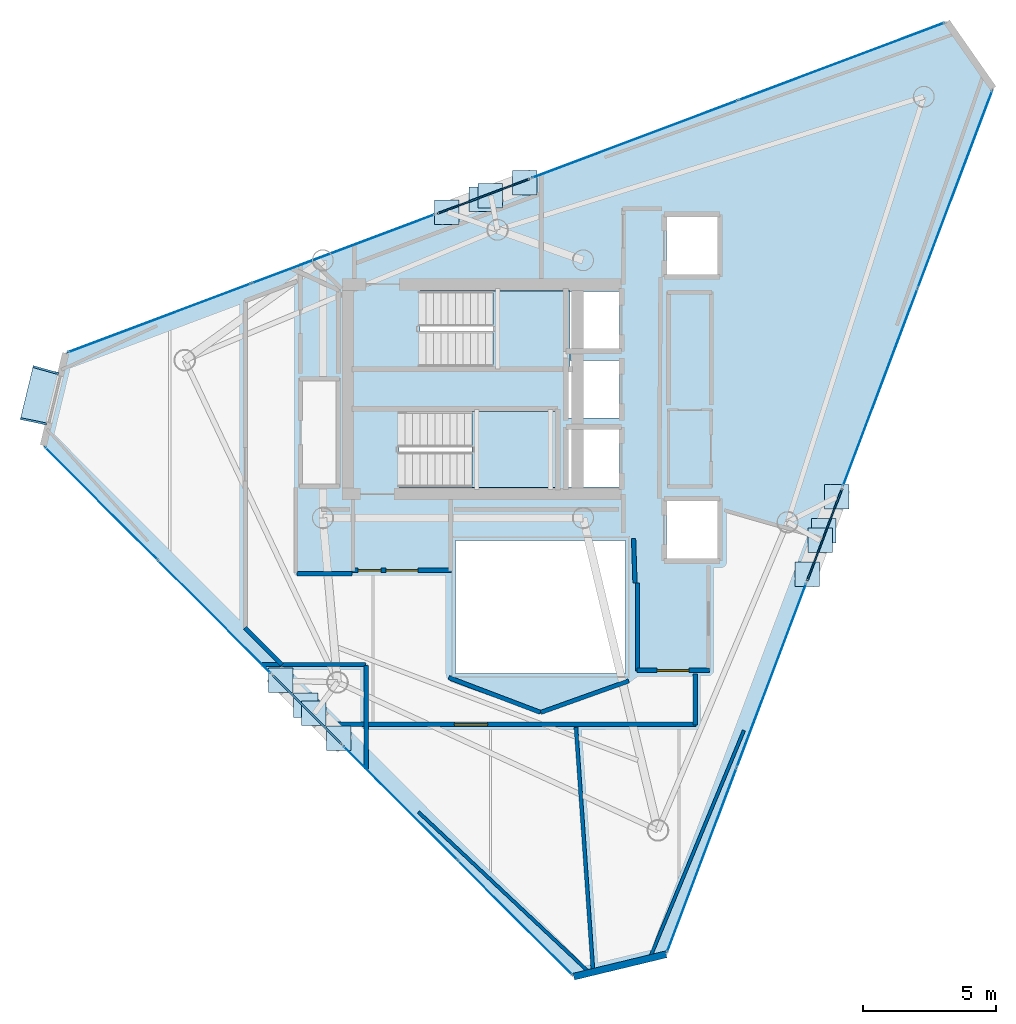
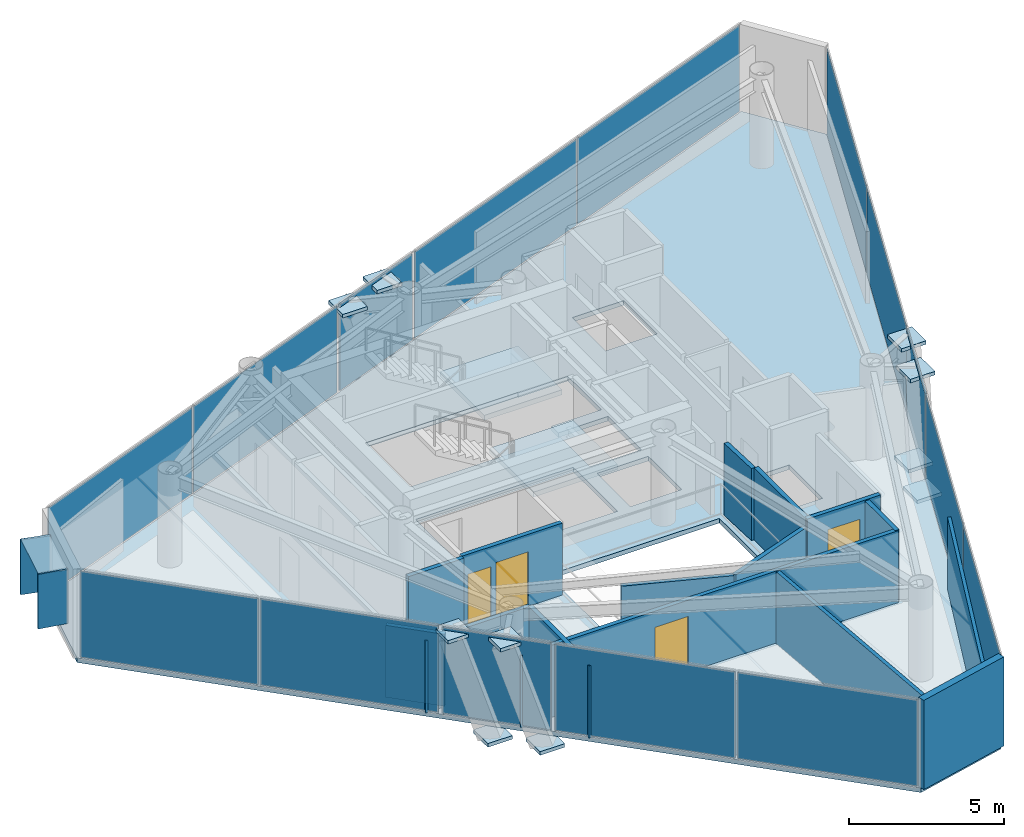
# One storey, part 15 of 19: 30 plates, 16 walls, 4 doors, 3 slabs, 4 openings, 11 elements without a shape of their own.
"""IFC4 building model written with IfcOpenShell, lengths in metres."""

import ifcopenshell
import ifcopenshell.guid

model = None  # the IFC model being written
_history = None  # IfcOwnerHistory: only IFC2X3 demands one
_inside = {}  # id of a spatial element -> (the spatial element, [elements in it])
_under = {}  # id of a project, library or spatial element -> (it, [spatial elements below it])
_declared = {}  # id of a project -> (the project, [libraries it declares])
_typed = {}  # id of a type object -> (the type object, [elements of that type])
_made_of = {}  # id of a material, layer set ... -> (it, [elements and type objects made of it])


def new_model(schema):
    """Start an empty IFC model of exactly this schema.

    Asked for "IFC4X3", IfcOpenShell would pick the latest addendum, in which some entities
    have other attributes; the version numbers below select the first issue.
    IFC2X3 requires an IfcOwnerHistory on every rooted entity: one is made here for all.
    """
    global model, _history
    if schema == "IFC4X3":
        model = ifcopenshell.file(schema_version=(4, 3, 0, 0))
    else:
        model = ifcopenshell.file(schema=schema)
    _inside.clear()
    _under.clear()
    _declared.clear()
    _typed.clear()
    _made_of.clear()
    _history = None
    if model.schema == "IFC2X3":
        org = make("IfcOrganization", Name="unknown")
        user = make(
            "IfcPersonAndOrganization",
            ThePerson=make("IfcPerson", FamilyName="unknown"),
            TheOrganization=org,
        )
        app = make(
            "IfcApplication",
            ApplicationDeveloper=org,
            Version="unknown",
            ApplicationFullName="unknown",
            ApplicationIdentifier="unknown",
        )
        _history = make(
            "IfcOwnerHistory",
            OwningUser=user,
            OwningApplication=app,
            ChangeAction="ADDED",
            CreationDate=0,
        )
    return model


def make(cls, **values):
    """One entity of the class cls with the attributes given. An attribute that is None is left unset."""
    return model.create_entity(
        cls, **{name: value for name, value in values.items() if value is not None}
    )


def rooted(cls, **values):
    """An entity with a GlobalId (a new one), such as an element, a storey or a relation."""
    return make(cls, GlobalId=ifcopenshell.guid.new(), OwnerHistory=_history, **values)


def si_unit(unit_type, name, prefix=None):
    """IfcSIUnit, for example si_unit("LENGTHUNIT", "METRE", prefix="MILLI")."""
    return make("IfcSIUnit", UnitType=unit_type, Prefix=prefix, Name=name)


def assignment(units):
    """IfcUnitAssignment: the units of a project."""
    return None if units is None else make("IfcUnitAssignment", Units=units)


def point(xyz):
    """IfcCartesianPoint."""
    return None if xyz is None else make("IfcCartesianPoint", Coordinates=xyz)


def direction(xyz):
    """IfcDirection."""
    return None if xyz is None else make("IfcDirection", DirectionRatios=xyz)


def frame(location, z_axis=None, x_axis=None):
    """IfcAxis2Placement3D, a coordinate frame: its origin and axes. An axis left out is left unset."""
    return make(
        "IfcAxis2Placement3D",
        Location=point(location),
        Axis=direction(z_axis),
        RefDirection=direction(x_axis),
    )


def frame_2d(location, x_axis=None):
    """IfcAxis2Placement2D, a coordinate frame in the plane: its origin and x axis."""
    return make(
        "IfcAxis2Placement2D", Location=point(location), RefDirection=direction(x_axis)
    )


def origin():
    """The frame at (0, 0, 0) with its axes left unset."""
    return frame((0.0, 0.0, 0.0))


def origin_2d():
    """The frame at (0, 0) in the plane with its x axis left unset."""
    return frame_2d((0.0, 0.0))


def place(relative_to, where):
    """IfcLocalPlacement: puts the frame where relative to a parent placement (None: the world)."""
    return make(
        "IfcLocalPlacement", PlacementRelTo=relative_to, RelativePlacement=where
    )


def context(
    kind, dimensions, precision=None, world=None, true_north=None, identifier=None
):
    """IfcGeometricRepresentationContext, for example the 3D "Model" context."""
    return make(
        "IfcGeometricRepresentationContext",
        ContextIdentifier=identifier,
        ContextType=kind,
        CoordinateSpaceDimension=dimensions,
        Precision=precision,
        WorldCoordinateSystem=world,
        TrueNorth=true_north,
    )


def subcontext(parent, identifier, kind, view, scale=None):
    """IfcGeometricRepresentationSubContext, for example "Body" below "Model"."""
    return make(
        "IfcGeometricRepresentationSubContext",
        ContextIdentifier=identifier,
        ContextType=kind,
        ParentContext=parent,
        TargetScale=scale,
        TargetView=view,
    )


def project(units=None, contexts=None):
    """IfcProject with its units and contexts."""
    return rooted(
        "IfcProject",
        Name="project",
        RepresentationContexts=contexts,
        UnitsInContext=assignment(units),
    )


def spatial(cls, under=None, at=None, **own):
    """A site, building, storey or space (cls), placed at a placement, below another one or the project."""
    s = rooted(cls, ObjectPlacement=at, **own)
    if under is not None:
        _under.setdefault(under.id(), (under, []))[1].append(s)
    return s


def polyline(points):
    """IfcPolyline through the points."""
    return make("IfcPolyline", Points=[point(p) for p in points])


def profile(cls, at=None, kind="AREA", **sizes):
    """A parametric profile (cls). Its sizes go by their IFC names, for example OverallWidth=200.0."""
    return make(cls, ProfileType=kind, Position=at, **sizes)


def rectangle(**sizes):
    """IfcRectangleProfileDef."""
    return profile("IfcRectangleProfileDef", **sizes)


def outline(outer, holes=None, kind="AREA"):
    """IfcArbitraryClosedProfileDef: a profile drawn as a closed curve; with holes, ...WithVoids."""
    if holes is None:
        return make("IfcArbitraryClosedProfileDef", ProfileType=kind, OuterCurve=outer)
    return make(
        "IfcArbitraryProfileDefWithVoids",
        ProfileType=kind,
        OuterCurve=outer,
        InnerCurves=holes,
    )


def extrude(swept, where, along, depth):
    """IfcExtrudedAreaSolid: the profile swept, set in the frame where, extruded along a direction by depth."""
    return make(
        "IfcExtrudedAreaSolid",
        SweptArea=swept,
        Position=where,
        ExtrudedDirection=direction(along),
        Depth=depth,
    )


def shape(context_of_items, identifier, shape_type, items):
    """IfcShapeRepresentation: the items that make up one representation, for example the "Body"."""
    return make(
        "IfcShapeRepresentation",
        ContextOfItems=context_of_items,
        RepresentationIdentifier=identifier,
        RepresentationType=shape_type,
        Items=items,
    )


def material(Name=None, Category=None):
    """IfcMaterial."""
    return make("IfcMaterial", Name=Name, Category=Category)


def layer(
    of_material, thickness, ventilated=None, Name=None, Category=None, Priority=None
):
    """IfcMaterialLayer: one layer of a wall or slab, of a material (None: an air gap)."""
    return make(
        "IfcMaterialLayer",
        Material=of_material,
        LayerThickness=thickness,
        IsVentilated=ventilated,
        Name=Name,
        Category=Category,
        Priority=Priority,
    )


def layer_set(layers, Name=None):
    """IfcMaterialLayerSet."""
    return make("IfcMaterialLayerSet", MaterialLayers=layers, LayerSetName=Name)


def made_of(thing, what):
    """Note that an element or type object is made of a material, layer set ...; save() writes the relation."""
    if what is not None:
        _made_of.setdefault(what.id(), (what, []))[1].append(thing)
    return thing


def type_object(cls, material=None, **own):
    """A type object (cls), such as IfcWallType, which elements share."""
    return made_of(rooted(cls, **own), material)


def element(
    cls,
    number,
    at=None,
    inside=None,
    cuts=None,
    type_object=None,
    material=None,
    context=None,
    identifier="Body",
    shape_type=None,
    held_by="IfcProductDefinitionShape",
    body=None,
    shapes=None,
    **own,
):
    """One element of the class cls, such as IfcWall. Its Tag is "e" and its number.

    at: its placement. inside: the storey or other place that contains it. cuts: it is an
    opening in that element (IfcRelVoidsElement). A single representation is given by context,
    identifier, shape_type and body (its items); several are given by shapes. held_by: the class
    of the entity that holds the representations. save() writes the other relations.
    """
    e = rooted(cls, Tag="e%d" % number, ObjectPlacement=at, **own)
    if body is not None:
        shapes = [shape(context, identifier, shape_type, body)]
    if shapes is not None:
        e.Representation = make(held_by, Representations=shapes)
    if inside is not None:
        _inside.setdefault(inside.id(), (inside, []))[1].append(e)
    if cuts is not None:
        rooted(
            "IfcRelVoidsElement", RelatingBuildingElement=cuts, RelatedOpeningElement=e
        )
    if type_object is not None:
        _typed.setdefault(type_object.id(), (type_object, []))[1].append(e)
    return made_of(e, material)


def fill(opening, filler):
    """IfcRelFillsElement: the door or window that sits in an opening."""
    return rooted(
        "IfcRelFillsElement",
        RelatingOpeningElement=opening,
        RelatedBuildingElement=filler,
    )


def aggregate(whole, parts):
    """IfcRelAggregates: a whole, such as a stair, and the parts it consists of."""
    return rooted("IfcRelAggregates", RelatingObject=whole, RelatedObjects=parts)


def save(model, path):
    """Write the relations noted so far, then the file.

    IfcRelAggregates (storeys below a building ...), IfcRelContainedInSpatialStructure (elements
    in a storey), IfcRelDefinesByType, IfcRelAssociatesMaterial and IfcRelDeclares: one each for
    every whole, place, type object, material and project.
    """
    for whole, parts in _under.values():
        aggregate(whole, parts)
    for where, things in _inside.values():
        rooted(
            "IfcRelContainedInSpatialStructure",
            RelatedElements=things,
            RelatingStructure=where,
        )
    for kind, things in _typed.values():
        rooted("IfcRelDefinesByType", RelatedObjects=things, RelatingType=kind)
    for what, things in _made_of.values():
        rooted("IfcRelAssociatesMaterial", RelatedObjects=things, RelatingMaterial=what)
    for by, libraries in _declared.values():
        rooted("IfcRelDeclares", RelatingContext=by, RelatedDefinitions=libraries)
    model.write(path)


model = new_model("IFC4")

# Units and contexts
model_context = context("Model", 3, precision=1e-05, world=origin(), true_north=direction((0.0, 1.0)))
body_context = subcontext(model_context, "Body", "Model", "MODEL_VIEW")
ifc_project = project(units=[si_unit("LENGTHUNIT", "METRE"), si_unit("AREAUNIT", "SQUARE_METRE"), si_unit("VOLUMEUNIT", "CUBIC_METRE"), si_unit("PLANEANGLEUNIT", "RADIAN"), si_unit("MASSUNIT", "GRAM", prefix="KILO")], contexts=[model_context])

# Site, building, storey
site_placement = place(None, origin())
site = spatial("IfcSite", under=ifc_project, at=site_placement, CompositionType="ELEMENT")
building_placement = place(site_placement, origin())
building = spatial("IfcBuilding", under=site, at=building_placement, Name="Qianvela Tower", CompositionType="ELEMENT")
storey_placement = place(building_placement, frame((0.0, 0.0, 340.699951171875)))
storey = spatial("IfcBuildingStorey", under=building, at=storey_placement, Name="L88", CompositionType="ELEMENT", Elevation=340.699951171875)

# Curtain wall, plate
ifc_material_1 = material(Name="Anodised Architectural Aluminium and Insulated Spandrel Panel", Category="aluminium")
ifc_layer_1 = layer(ifc_material_1, 0.179931640625)
ifc_layer_set_1 = layer_set([ifc_layer_1], Name="Anodised Architectural Aluminium and Insulated Spandrel Panel")
curtain_wall_type_1 = type_object("IfcCurtainWallType", Name="CW-BRACEBAY", PredefinedType="USERDEFINED", material=ifc_layer_set_1)
curtain_wall_1_placement = place(storey_placement, origin())
curtain_wall_1 = element("IfcCurtainWall", 1, at=curtain_wall_1_placement, inside=storey, type_object=curtain_wall_type_1, Name="L88 CW-BRACEBAY Curtain Wall 02B", ObjectType="CURTAIN_WALL_SYSTEM", PredefinedType="USERDEFINED")
ifc_material_2 = material(Name="Insulated Aluminium Spandrel Panel with Mineral-Wool Backpan", Category="aluminium")
ifc_layer_2 = layer(ifc_material_2, 0.06005859375)
ifc_layer_set_2 = layer_set([ifc_layer_2], Name="Insulated Aluminium Spandrel Panel with Mineral-Wool Backpan")
plate_type_1 = type_object("IfcPlateType", Name="CW-BRACEBAY-PNL", PredefinedType="CURTAIN_PANEL", material=ifc_layer_set_2)
plate_1_placement = place(storey_placement, frame((34.646728515625, 35.96337890625, 0.06494140625), z_axis=(0.0, 0.0, 1.0), x_axis=(-0.93601441022, -0.351961679533, 0.0)))
plate_1 = element("IfcPlate", 2, at=plate_1_placement, type_object=plate_type_1, Name="CW-9 panel 1.1", PredefinedType="CURTAIN_PANEL", context=body_context, shape_type="SweptSolid", body=[
    extrude(rectangle(XDim=3.699951171875, YDim=0.06005859375, at=origin_2d()), origin(), (0.0, 0.0, 1.0), 3.389892578125),
])
aggregate(curtain_wall_1, [plate_1])

curtain_wall_2_placement = place(storey_placement, origin())
curtain_wall_2 = element("IfcCurtainWall", 3, at=curtain_wall_2_placement, inside=storey, type_object=curtain_wall_type_1, Name="L88 CW-BRACEBAY Curtain Wall 04B", ObjectType="CURTAIN_WALL_SYSTEM", PredefinedType="USERDEFINED")
plate_2_placement = place(storey_placement, frame((28.012451171875, 16.631103515625, 0.06494140625), z_axis=(0.0, 0.0, 1.0), x_axis=(0.706618488958, -0.707594736458, 0.0)))
plate_2 = element("IfcPlate", 4, at=plate_2_placement, type_object=plate_type_1, Name="CW-9 panel 1.1", PredefinedType="CURTAIN_PANEL", context=body_context, shape_type="SweptSolid", body=[
    extrude(rectangle(XDim=3.659912109375, YDim=0.06005859375, at=origin_2d()), origin(), (0.0, 0.0, 1.0), 3.389892578125),
])
aggregate(curtain_wall_2, [plate_2])

curtain_wall_3_placement = place(storey_placement, origin())
curtain_wall_3 = element("IfcCurtainWall", 5, at=curtain_wall_3_placement, inside=storey, type_object=curtain_wall_type_1, Name="L88 CW-BRACEBAY Curtain Wall 06B", ObjectType="CURTAIN_WALL_SYSTEM", PredefinedType="USERDEFINED")
plate_3_placement = place(storey_placement, frame((47.490478515625, 23.2158203125, 0.06494140625), z_axis=(0.0, 0.0, 1.0), x_axis=(0.353259919343, 0.935525215794, 0.0)))
plate_3 = element("IfcPlate", 6, at=plate_3_placement, type_object=plate_type_1, Name="CW-9 panel 1.1", PredefinedType="CURTAIN_PANEL", context=body_context, shape_type="SweptSolid", body=[
    extrude(rectangle(XDim=3.699951171875, YDim=0.06005859375, at=origin_2d()), origin(), (0.0, 0.0, 1.0), 3.389892578125),
])
aggregate(curtain_wall_3, [plate_3])

# Curtain wall, plates
ifc_material_3 = material(Name="Anodised Architectural Aluminium and Low-E Glass", Category="aluminium")
ifc_layer_3 = layer(ifc_material_3, 0.14990234375)
ifc_layer_set_3 = layer_set([ifc_layer_3], Name="Anodised Architectural Aluminium and Low-E Glass")
curtain_wall_type_2 = type_object("IfcCurtainWallType", Name="CW-COLIV-Z78", PredefinedType="USERDEFINED", material=ifc_layer_set_3)
curtain_wall_4_placement = place(storey_placement, origin())
curtain_wall_4 = element("IfcCurtainWall", 7, at=curtain_wall_4_placement, inside=storey, type_object=curtain_wall_type_2, Name="L88 CW-COLIV-Z78 Curtain Wall 02A", ObjectType="CURTAIN_WALL_SYSTEM", PredefinedType="USERDEFINED")
ifc_material_4 = material(Name="Double-Silver Low-E Insulated Glass", Category="glass")
ifc_layer_4 = layer(ifc_material_4, 0.02587890625)
ifc_layer_set_4 = layer_set([ifc_layer_4], Name="Double-Silver Low-E Insulated Glass")
plate_type_2 = type_object("IfcPlateType", Name="CW-COLIV-Z78-PNL", PredefinedType="CURTAIN_PANEL", material=ifc_layer_set_4)
plate_4_placement = place(storey_placement, frame((48.127685546875, 41.0322265625, 0.06005859375), z_axis=(0.0, 0.0, 1.0), x_axis=(-0.936016705749, -0.351955574694, 0.0)))
plate_4 = element("IfcPlate", 8, at=plate_4_placement, type_object=plate_type_2, Name="CW-6 panel 1.1", PredefinedType="CURTAIN_PANEL", context=body_context, shape_type="SweptSolid", body=[
    extrude(rectangle(XDim=8.2451171875, YDim=0.02587890625, at=origin_2d()), origin(), (0.0, 0.0, 1.0), 3.39990234375),
])
plate_5_placement = place(storey_placement, frame((40.35400390625, 38.109375, 0.06005859375), z_axis=(0.0, 0.0, 1.0), x_axis=(-0.936016705749, -0.351955574694, 0.0)))
plate_5 = element("IfcPlate", 9, at=plate_5_placement, type_object=plate_type_2, Name="CW-6 panel 2.1", PredefinedType="CURTAIN_PANEL", context=body_context, shape_type="SweptSolid", body=[
    extrude(rectangle(XDim=8.2451171875, YDim=0.02587890625, at=origin_2d()), origin(), (0.0, 0.0, 1.0), 3.39990234375),
])
aggregate(curtain_wall_4, [plate_4, plate_5])

curtain_wall_5_placement = place(storey_placement, origin())
curtain_wall_5 = element("IfcCurtainWall", 10, at=curtain_wall_5_placement, inside=storey, type_object=curtain_wall_type_2, Name="L88 CW-COLIV-Z78 Curtain Wall 02C", ObjectType="CURTAIN_WALL_SYSTEM", PredefinedType="USERDEFINED")
plate_6_placement = place(storey_placement, frame((29.36962890625, 33.97900390625, 0.06005859375), z_axis=(0.0, 0.0, 1.0), x_axis=(-0.936015416471, -0.351959003477, 0.0)))
plate_6 = element("IfcPlate", 11, at=plate_6_placement, type_object=plate_type_2, Name="CW-6 panel 1.1", PredefinedType="CURTAIN_PANEL", context=body_context, shape_type="SweptSolid", body=[
    extrude(rectangle(XDim=7.32568359375, YDim=0.02587890625, at=origin_2d()), origin(), (0.0, 0.0, 1.0), 3.39990234375),
])
plate_7_placement = place(storey_placement, frame((22.45654296875, 31.379638671875, 0.06005859375), z_axis=(0.0, 0.0, 1.0), x_axis=(-0.936015416471, -0.351959003477, 0.0)))
plate_7 = element("IfcPlate", 12, at=plate_7_placement, type_object=plate_type_2, Name="CW-6 panel 2.1", PredefinedType="CURTAIN_PANEL", context=body_context, shape_type="SweptSolid", body=[
    extrude(rectangle(XDim=7.32568359375, YDim=0.02587890625, at=origin_2d()), origin(), (0.0, 0.0, 1.0), 3.39990234375),
])
aggregate(curtain_wall_5, [plate_6, plate_7])

curtain_wall_6_placement = place(storey_placement, origin())
curtain_wall_6 = element("IfcCurtainWall", 13, at=curtain_wall_6_placement, inside=storey, type_object=curtain_wall_type_2, Name="L88 CW-COLIV-Z78 Curtain Wall 04A", ObjectType="CURTAIN_WALL_SYSTEM", PredefinedType="USERDEFINED")
plate_8_placement = place(storey_placement, frame((20.26611328125, 24.38818359375, 0.06005859375), z_axis=(0.0, 0.0, 1.0), x_axis=(0.706615280371, -0.707597940603, 0.0)))
plate_8 = element("IfcPlate", 14, at=plate_8_placement, type_object=plate_type_2, Name="CW-6 panel 1.1", PredefinedType="CURTAIN_PANEL", context=body_context, shape_type="SweptSolid", body=[
    extrude(rectangle(XDim=5.965087890625, YDim=0.02587890625, at=origin_2d()), origin(), (0.0, 0.0, 1.0), 3.39990234375),
])
plate_9_placement = place(storey_placement, frame((24.5234375, 20.124755859375, 0.06005859375), z_axis=(0.0, 0.0, 1.0), x_axis=(0.706615280371, -0.707597940603, 0.0)))
plate_9 = element("IfcPlate", 15, at=plate_9_placement, type_object=plate_type_2, Name="CW-6 panel 2.1", PredefinedType="CURTAIN_PANEL", context=body_context, shape_type="SweptSolid", body=[
    extrude(rectangle(XDim=5.965087890625, YDim=0.02587890625, at=origin_2d()), origin(), (0.0, 0.0, 1.0), 3.39990234375),
])
aggregate(curtain_wall_6, [plate_8, plate_9])

curtain_wall_7_placement = place(storey_placement, origin())
curtain_wall_7 = element("IfcCurtainWall", 16, at=curtain_wall_7_placement, inside=storey, type_object=curtain_wall_type_2, Name="L88 CW-COLIV-Z78 Curtain Wall 04C", ObjectType="CURTAIN_WALL_SYSTEM", PredefinedType="USERDEFINED")
plate_10_placement = place(storey_placement, frame((31.527587890625, 13.11083984375, 0.06005859375), z_axis=(0.0, 0.0, 1.0), x_axis=(0.706613107104, -0.707600110845, 0.0)))
plate_10 = element("IfcPlate", 17, at=plate_10_placement, type_object=plate_type_2, Name="CW-6 panel 1.1", PredefinedType="CURTAIN_PANEL", context=body_context, shape_type="SweptSolid", body=[
    extrude(rectangle(XDim=6.03955078125, YDim=0.02587890625, at=origin_2d()), origin(), (0.0, 0.0, 1.0), 3.39990234375),
])
plate_11_placement = place(storey_placement, frame((35.837646484375, 8.794677734375, 0.06005859375), z_axis=(0.0, 0.0, 1.0), x_axis=(0.706613107104, -0.707600110845, 0.0)))
plate_11 = element("IfcPlate", 18, at=plate_11_placement, type_object=plate_type_2, Name="CW-6 panel 2.1", PredefinedType="CURTAIN_PANEL", context=body_context, shape_type="SweptSolid", body=[
    extrude(rectangle(XDim=6.03955078125, YDim=0.02587890625, at=origin_2d()), origin(), (0.0, 0.0, 1.0), 3.39990234375),
])
aggregate(curtain_wall_7, [plate_10, plate_11])

curtain_wall_8_placement = place(storey_placement, origin())
curtain_wall_8 = element("IfcCurtainWall", 19, at=curtain_wall_8_placement, inside=storey, type_object=curtain_wall_type_2, Name="L88 CW-COLIV-Z78 Curtain Wall 06A", ObjectType="CURTAIN_WALL_SYSTEM", PredefinedType="USERDEFINED")
plate_12_placement = place(storey_placement, frame((42.866455078125, 10.9697265625, 0.06005859375), z_axis=(0.0, 0.0, 1.0), x_axis=(0.353258492733, 0.935525754489, 0.0)))
plate_12 = element("IfcPlate", 20, at=plate_12_placement, type_object=plate_type_2, Name="CW-6 panel 1.1", PredefinedType="CURTAIN_PANEL", context=body_context, shape_type="SweptSolid", body=[
    extrude(rectangle(XDim=7.369873046875, YDim=0.02587890625, at=origin_2d()), origin(), (0.0, 0.0, 1.0), 3.39990234375),
])
plate_13_placement = place(storey_placement, frame((45.4912109375, 17.920654296875, 0.06005859375), z_axis=(0.0, 0.0, 1.0), x_axis=(0.353258492733, 0.935525754489, 0.0)))
plate_13 = element("IfcPlate", 21, at=plate_13_placement, type_object=plate_type_2, Name="CW-6 panel 2.1", PredefinedType="CURTAIN_PANEL", context=body_context, shape_type="SweptSolid", body=[
    extrude(rectangle(XDim=7.369873046875, YDim=0.02587890625, at=origin_2d()), origin(), (0.0, 0.0, 1.0), 3.39990234375),
])
aggregate(curtain_wall_8, [plate_12, plate_13])

curtain_wall_9_placement = place(storey_placement, origin())
curtain_wall_9 = element("IfcCurtainWall", 22, at=curtain_wall_9_placement, inside=storey, type_object=curtain_wall_type_2, Name="L88 CW-COLIV-Z78 Curtain Wall 06C", ObjectType="CURTAIN_WALL_SYSTEM", PredefinedType="USERDEFINED")
plate_14_placement = place(storey_placement, frame((49.585205078125, 28.76318359375, 0.06005859375), z_axis=(0.0, 0.0, 1.0), x_axis=(0.353262477612, 0.935524249772, 0.0)))
plate_14 = element("IfcPlate", 23, at=plate_14_placement, type_object=plate_type_2, Name="CW-6 panel 1.1", PredefinedType="CURTAIN_PANEL", context=body_context, shape_type="SweptSolid", body=[
    extrude(rectangle(XDim=7.9091796875, YDim=0.02587890625, at=origin_2d()), origin(), (0.0, 0.0, 1.0), 3.39990234375),
])
plate_15_placement = place(storey_placement, frame((52.400390625, 36.218505859375, 0.06005859375), z_axis=(0.0, 0.0, 1.0), x_axis=(0.353262477612, 0.935524249772, 0.0)))
plate_15 = element("IfcPlate", 24, at=plate_15_placement, type_object=plate_type_2, Name="CW-6 panel 2.1", PredefinedType="CURTAIN_PANEL", context=body_context, shape_type="SweptSolid", body=[
    extrude(rectangle(XDim=7.9091796875, YDim=0.02587890625, at=origin_2d()), origin(), (0.0, 0.0, 1.0), 3.39990234375),
])
aggregate(curtain_wall_9, [plate_14, plate_15])

# Plates
ifc_material_5 = material(Name="Steel Q420GJC", Category="steel")
ifc_layer_5 = layer(ifc_material_5, 0.139892578125)
ifc_layer_set_5 = layer_set([ifc_layer_5], Name="Steel Q420GJC")
plate_type_3 = type_object("IfcPlateType", Name="PT-GUSSET-NODE-140", PredefinedType="USERDEFINED", material=ifc_layer_set_5)
for number, where, z_axis, x_axis, name in (
    (25, (36.197509765625, 36.4609375, -0.61279296875), (0.0, 0.0, 1.0), (1.0, 0.0, 0.0), "L88 Node Gusset Plate A"),
    (26, (34.906982421875, 35.9755859375, 3.208984375), (0.0, 0.0, 1.0), (1.0, 0.0, 0.0), "L88 Node Gusset Plate B"),
    (27, (34.55712890625, 35.84423828125, -0.61279296875), (0.0, 0.0, 1.0), (1.0, 0.0, 0.0), "L88 Node Gusset Plate A"),
    (28, (33.2666015625, 35.35888671875, 3.208984375), (0.0, 0.0, 1.0), (1.0, 0.0, 0.0), "L88 Node Gusset Plate B"),
    (29, (27.96337890625, 16.79345703125, -0.61328125), (0.0, 0.0, 1.0), (1.0, 0.0, 0.0), "L88 Node Gusset Plate A"),
    (30, (27.0234375, 17.734619140625, 3.20947265625), (0.0, 0.0, 1.0), (1.0, 0.0, 0.0), "L88 Node Gusset Plate B"),
    (31, (29.201416015625, 15.553466796875, -0.61328125), (0.0, 0.0, 1.0), (1.0, 0.0, 0.0), "L88 Node Gusset Plate A"),
    (32, (28.261962890625, 16.494384765625, 3.20947265625), (0.0, 0.0, 1.0), (1.0, 0.0, 0.0), "L88 Node Gusset Plate B"),
    (33, (46.8408203125, 21.7216796875, -0.61279296875), (0.0, 0.0, 1.0), (1.0, 0.0, 0.0), "L88 Node Gusset Plate A"),
    (34, (47.32861328125, 23.013671875, 3.208984375), (0.0, 0.0, 1.0), (1.0, 0.0, 0.0), "L88 Node Gusset Plate B"),
    (35, (47.4599609375, 23.361083984375, -0.61279296875), (0.0, 0.0, 1.0), (1.0, 0.0, 0.0), "L88 Node Gusset Plate A"),
    (36, (47.947998046875, 24.6533203125, 3.208984375), (0.0, 0.0, 1.0), (1.0, 0.0, 0.0), "L88 Node Gusset Plate B"),
):
    element("IfcPlate", number, at=place(storey_placement, frame(where, z_axis=z_axis, x_axis=x_axis)), inside=storey, type_object=plate_type_3, Name=name, ObjectType="GUSSET_PLATE", PredefinedType="USERDEFINED", context=body_context, shape_type="SweptSolid", body=[
        extrude(rectangle(XDim=0.919921875, YDim=0.919921875, at=origin_2d()), origin(), (0.0, 0.0, 1.0), 0.139892578125),
    ])

# Slab
ifc_material_6 = material(Name="Concrete C40", Category="concrete")
ifc_layer_6 = layer(ifc_material_6, 0.179931640625)
ifc_layer_set_6 = layer_set([ifc_layer_6], Name="Concrete C40")
slab_type_1 = type_object("IfcSlabType", Name="SL-FLOOR-180", PredefinedType="FLOOR", material=ifc_layer_set_6)
slab_1_placement = place(storey_placement, frame((0.0, 0.0, -0.179931640625)))
element("IfcSlab", 37, at=slab_1_placement, inside=storey, type_object=slab_type_1, Name="L88 Composite Structural Floor Slab", PredefinedType="FLOOR", context=body_context, shape_type="SweptSolid", body=[
    extrude(outline(polyline([(53.83642578125, 40.02099609375), (52.08935546875, 42.52197265625), (18.925048828125, 30.0517578125), (18.080810546875, 26.576416015625), (38.04931640625, 6.580078125), (41.52587890625, 7.41943359375), (53.83642578125, 40.02099609375)]), holes=[polyline([(40.0, 23.0), (33.60009765625, 23.0), (33.60009765625, 18.0), (40.0, 18.0), (40.0, 23.0)]), polyline([(43.4599609375, 24.47998046875), (41.5400390625, 24.47998046875), (41.5400390625, 22.320068359375), (43.4599609375, 22.320068359375), (43.4599609375, 24.47998046875)]), polyline([(39.760009765625, 27.179931640625), (37.840087890625, 27.179931640625), (37.840087890625, 25.02001953125), (39.760009765625, 25.02001953125), (39.760009765625, 27.179931640625)]), polyline([(37.35009765625, 27.860107421875), (31.469970703125, 27.860107421875), (31.469970703125, 25.0), (37.35009765625, 25.0), (37.35009765625, 27.860107421875)]), polyline([(39.760009765625, 27.6201171875), (39.760009765625, 29.780029296875), (37.89990234375, 29.780029296875), (37.89990234375, 30.219970703125), (39.760009765625, 30.219970703125), (39.760009765625, 32.3798828125), (37.89990234375, 32.3798828125), (37.89990234375, 32.39990234375), (32.25, 32.39990234375), (32.25, 29.5400390625), (37.840087890625, 29.5400390625), (37.840087890625, 27.6201171875), (39.760009765625, 27.6201171875)]), polyline([(43.4599609375, 35.179931640625), (41.5400390625, 35.179931640625), (41.5400390625, 33.02001953125), (43.4599609375, 33.02001953125), (43.4599609375, 35.179931640625)])]), origin(), (0.0, 0.0, 1.0), 0.179931640625),
])

# Stair, slab
ifc_material_7 = material(Name="Concrete C40", Category="concrete")
stair_type = type_object("IfcStairType", Name="ST-DOGLEG-1350-R168-N22", PredefinedType="HALF_TURN_STAIR", material=ifc_material_7)
stair_1_placement = place(storey_placement, origin())
stair_1 = element("IfcStair", 38, at=stair_1_placement, inside=storey, type_object=stair_type, Name="L88 Smoke-Proof Core Stair ST-1", PredefinedType="HALF_TURN_STAIR")
ifc_material_8 = material(Name="Concrete C40", Category="concrete")
ifc_layer_7 = layer(ifc_material_8, 0.199951171875)
ifc_layer_set_7 = layer_set([ifc_layer_7], Name="Concrete C40")
slab_type_2 = type_object("IfcSlabType", Name="SL-STAIR-LANDING-200", PredefinedType="LANDING", material=ifc_layer_set_7)
slab_2_placement = place(storey_placement, frame((0.0, 0.0, 1.650146484375)))
slab_2 = element("IfcSlab", 39, at=slab_2_placement, type_object=slab_type_2, Name="ST-1 landing 1", PredefinedType="LANDING", context=body_context, shape_type="SweptSolid", body=[
    extrude(outline(polyline([(35.0, 29.5400390625), (37.89990234375, 29.5400390625), (37.89990234375, 32.39990234375), (35.0, 32.39990234375), (35.0, 29.5400390625)])), origin(), (0.0, 0.0, 1.0), 0.199951171875),
])
aggregate(stair_1, [slab_2])

stair_2_placement = place(storey_placement, origin())
stair_2 = element("IfcStair", 40, at=stair_2_placement, inside=storey, type_object=stair_type, Name="L88 Smoke-Proof Core Stair ST-2", PredefinedType="HALF_TURN_STAIR")
slab_3_placement = place(storey_placement, frame((0.0, 0.0, 1.650146484375)))
slab_3 = element("IfcSlab", 41, at=slab_3_placement, type_object=slab_type_2, Name="ST-2 landing 1", PredefinedType="LANDING", context=body_context, shape_type="SweptSolid", body=[
    extrude(outline(polyline([(34.219970703125, 25.0), (37.35009765625, 25.0), (37.35009765625, 27.860107421875), (34.219970703125, 27.860107421875), (34.219970703125, 25.0)])), origin(), (0.0, 0.0, 1.0), 0.199951171875),
])
aggregate(stair_2, [slab_3])

# Plates
ifc_material_9 = material(Name="Vitrified Architectural Terracotta Panel", Category="masonry")
ifc_layer_8 = layer(ifc_material_9, 0.070068359375)
ifc_layer_set_8 = layer_set([ifc_layer_8], Name="Vitrified Architectural Terracotta Panel")
plate_type_4 = type_object("IfcPlateType", Name="TERRACOTTA-SUNSHADE-HOOD-FOLD-C", PredefinedType="USERDEFINED", material=ifc_layer_set_8)
plate_16_placement = place(storey_placement, frame((17.9345703125, 28.4521484375, 2.9599609375), z_axis=(0.0, 0.0, 1.0), x_axis=(-0.236049580163, -0.97174101267, 0.0)))
element("IfcPlate", 42, at=plate_16_placement, inside=storey, type_object=plate_type_4, Name="L88 Terracotta Sunshade Hood FOLD-C", ObjectType="SUNSHADE", PredefinedType="USERDEFINED", context=body_context, shape_type="SweptSolid", body=[
    extrude(rectangle(XDim=2.0400390625, YDim=0.989990234375, at=origin_2d()), origin(), (0.0, 0.0, 1.0), 0.06005859375),
])
ifc_material_10 = material(Name="Vitrified Architectural Terracotta Side Fin Panel", Category="masonry")
ifc_layer_9 = layer(ifc_material_10, 0.074951171875)
ifc_layer_set_9 = layer_set([ifc_layer_9], Name="Vitrified Architectural Terracotta Side Fin Panel")
plate_type_5 = type_object("IfcPlateType", Name="TERRACOTTA-SUNSHADE-STRUT-FOLD-C", PredefinedType="USERDEFINED", material=ifc_layer_set_9)
for number, where, z_axis, x_axis, name in (
    (43, (18.168212890625, 29.414306640625, 0.85009765625), (0.0, 0.0, 1.0), (-0.269819057404, -0.962911042756, 0.0), "L88 Terracotta Sunshade Side Fin HL FOLD-C"),
    (44, (17.70068359375, 27.489990234375, 0.85009765625), (0.0, 0.0, 1.0), (-0.20199251287, -0.979387065845, 0.0), "L88 Terracotta Sunshade Side Fin HR FOLD-C"),
):
    element("IfcPlate", number, at=place(storey_placement, frame(where, z_axis=z_axis, x_axis=x_axis)), inside=storey, type_object=plate_type_5, Name=name, ObjectType="SUNSHADE", PredefinedType="USERDEFINED", context=body_context, shape_type="SweptSolid", body=[
        extrude(rectangle(XDim=0.074951171875, YDim=1.010009765625, at=origin_2d()), origin(), (0.0, 0.0, 1.0), 2.159912109375),
    ])

# Wall
ifc_material_11 = material(Name="Terracotta Cladding on Concrete C40", Category="masonry")
ifc_layer_10 = layer(ifc_material_11, 0.260009765625)
ifc_layer_set_10 = layer_set([ifc_layer_10], Name="Terracotta Cladding on Concrete C40")
wall_type_1 = type_object("IfcWallType", Name="TERRACOTTA-WALL-260", PredefinedType="SOLIDWALL", material=ifc_layer_set_10)
wall_1_placement = place(storey_placement, frame((38.04931640625, 6.580078125, 0.0), z_axis=(0.0, 0.0, 1.0), x_axis=(0.972070395477, 0.234689467672, 0.0)))
element("IfcWall", 45, at=wall_1_placement, inside=storey, type_object=wall_type_1, Name="L88 Terracotta Chamfer Facet Wall 5", PredefinedType="SOLIDWALL", context=body_context, shape_type="SweptSolid", body=[
    extrude(rectangle(XDim=3.576416015625, YDim=0.260009765625, at=frame_2d((1.7880859375, 0.0))), origin(), (0.0, 0.0, 1.0), 3.52001953125),
])

# Wall, openings, doors
ifc_material_12 = material(Name="Fire-Rated Gypsum and Concrete Block", Category="concrete")
ifc_layer_11 = layer(ifc_material_12, 0.159912109375)
ifc_layer_set_11 = layer_set([ifc_layer_11], Name="Fire-Rated Gypsum and Concrete Block")
wall_type_2 = type_object("IfcWallType", Name="WT-CORR-160", PredefinedType="PARTITIONING", material=ifc_layer_set_11)
wall_2_placement = place(storey_placement, frame((33.449951171875, 21.881103515625, 0.0), z_axis=(0.0, 0.0, 1.0), x_axis=(-1.0, 0.0, 0.0)))
wall_2 = element("IfcWall", 46, at=wall_2_placement, inside=storey, type_object=wall_type_2, Name="L88 Partition 5", PredefinedType="PARTITIONING", context=body_context, shape_type="SweptSolid", body=[
    extrude(rectangle(XDim=3.75, YDim=0.159912109375, at=frame_2d((1.875, 0.0))), origin(), (0.0, 0.0, 1.0), 2.840087890625),
])
opening_1_placement = place(wall_2_placement, frame((1.27490234375, 0.0, 0.0)))
opening_1 = element("IfcOpeningElement", 47, at=opening_1_placement, cuts=wall_2, Name="Opening D-LB1", PredefinedType="OPENING", context=body_context, shape_type="SweptSolid", body=[
    extrude(rectangle(XDim=1.199951171875, YDim=2.14990234375, at=frame_2d((0.60009765625, 1.074951171875))), frame((0.0, 0.08984375, 0.0), z_axis=(0.0, -1.0, 0.0), x_axis=(1.0, 0.0, 0.0)), (0.0, 0.0, 1.0), 0.179931640625),
])
opening_2_placement = place(wall_2_placement, frame((2.659912109375, 0.0, 0.0)))
opening_2 = element("IfcOpeningElement", 48, at=opening_2_placement, cuts=wall_2, Name="Opening D-LB2", PredefinedType="OPENING", context=body_context, shape_type="SweptSolid", body=[
    extrude(rectangle(XDim=0.860107421875, YDim=2.050048828125, at=frame_2d((0.43017578125, 1.02490234375))), frame((0.0, 0.08984375, 0.0), z_axis=(0.0, -1.0, 0.0), x_axis=(1.0, 0.0, 0.0)), (0.0, 0.0, 1.0), 0.179931640625),
])
ifc_material_13 = material(Name="Glazed Fire-Rated Steel Frame", Category="steel")
door_type_1 = type_object("IfcDoorType", Name="DT-LOBBY-FD90", OperationType="NOTDEFINED", PredefinedType="DOOR", material=ifc_material_13)
door_1_placement = place(opening_1_placement, origin())
door_1 = element("IfcDoor", 49, at=door_1_placement, inside=storey, type_object=door_type_1, Name="L88 Door L88 Firefighting Lobby South to L88 Floor Corridor", OperationType="SINGLE_SWING_RIGHT", OverallHeight=2.14990234375, OverallWidth=1.199951171875, PredefinedType="DOOR", context=body_context, shape_type="SweptSolid", body=[
    extrude(rectangle(XDim=1.199951171875, YDim=2.14990234375, at=frame_2d((0.60009765625, 1.074951171875))), frame((0.0, 0.02490234375, 0.0), z_axis=(0.0, -1.0, 0.0), x_axis=(1.0, 0.0, 0.0)), (0.0, 0.0, 1.0), 0.050048828125),
])
fill(opening_1, door_1)
ifc_material_14 = material(Name="Insulated Steel Fire Door Q355B", Category="steel")
door_type_2 = type_object("IfcDoorType", Name="DT-LOBBY-FD90-860", OperationType="NOTDEFINED", PredefinedType="DOOR", material=ifc_material_14)
door_2_placement = place(opening_2_placement, origin())
door_2 = element("IfcDoor", 50, at=door_2_placement, inside=storey, type_object=door_type_2, Name="L88 Door L88 Firefighting Lobby South to L88 Floor Corridor", OperationType="SINGLE_SWING_RIGHT", OverallHeight=2.050048828125, OverallWidth=0.860107421875, PredefinedType="DOOR", context=body_context, shape_type="SweptSolid", body=[
    extrude(rectangle(XDim=0.860107421875, YDim=2.050048828125, at=frame_2d((0.43017578125, 1.02490234375))), frame((0.0, 0.02490234375, 0.0), z_axis=(0.0, -1.0, 0.0), x_axis=(1.0, 0.0, 0.0)), (0.0, 0.0, 1.0), 0.050048828125),
])
fill(opening_2, door_2)

# Wall
wall_3_placement = place(storey_placement, frame((40.35107421875, 21.40087890625, 0.0), z_axis=(0.0, 0.0, 1.0), x_axis=(-0.031058045979, 0.999517582527, 0.0)))
element("IfcWall", 51, at=wall_3_placement, inside=storey, type_object=wall_type_2, Name="L88 Partition 9", PredefinedType="PARTITIONING", context=body_context, shape_type="SweptSolid", body=[
    extrude(rectangle(XDim=1.68212890625, YDim=0.159912109375, at=frame_2d((0.841064453125, 0.0))), origin(), (0.0, 0.0, 1.0), 2.840087890625),
])

# Wall, opening, door
wall_4_placement = place(storey_placement, frame((43.14990234375, 18.111083984375, 0.0), z_axis=(0.0, 0.0, 1.0), x_axis=(-1.0, 0.0, 0.0)))
wall_4 = element("IfcWall", 52, at=wall_4_placement, inside=storey, type_object=wall_type_2, Name="L88 Partition 17", PredefinedType="PARTITIONING", context=body_context, shape_type="SweptSolid", body=[
    extrude(rectangle(XDim=2.72998046875, YDim=0.159912109375, at=frame_2d((1.364990234375, 0.0))), origin(), (0.0, 0.0, 1.0), 2.840087890625),
])
opening_3_placement = place(wall_4_placement, frame((0.764892578125, 0.0, 0.0)))
opening_3 = element("IfcOpeningElement", 53, at=opening_3_placement, cuts=wall_4, Name="Opening D-LB1", PredefinedType="OPENING", context=body_context, shape_type="SweptSolid", body=[
    extrude(rectangle(XDim=1.199951171875, YDim=2.14990234375, at=frame_2d((0.60009765625, 1.074951171875))), frame((0.0, 0.08984375, 0.0), z_axis=(0.0, -1.0, 0.0), x_axis=(1.0, 0.0, 0.0)), (0.0, 0.0, 1.0), 0.179931640625),
])
door_3_placement = place(opening_3_placement, origin())
door_3 = element("IfcDoor", 54, at=door_3_placement, inside=storey, type_object=door_type_1, Name="L88 Door L88 Lift Lobby to L88 Floor Corridor", OperationType="SINGLE_SWING_LEFT", OverallHeight=2.14990234375, OverallWidth=1.199951171875, PredefinedType="DOOR", context=body_context, shape_type="SweptSolid", body=[
    extrude(rectangle(XDim=1.199951171875, YDim=2.14990234375, at=frame_2d((0.60009765625, 1.074951171875))), frame((0.0, 0.02490234375, 0.0), z_axis=(0.0, -1.0, 0.0), x_axis=(1.0, 0.0, 0.0)), (0.0, 0.0, 1.0), 0.050048828125),
])
fill(opening_3, door_3)

# Walls
wall_5_placement = place(storey_placement, frame((40.450927734375, 18.080078125, 0.0), z_axis=(0.0, 0.0, 1.0), x_axis=(0.0, 1.0, 0.0)))
element("IfcWall", 55, at=wall_5_placement, inside=storey, type_object=wall_type_2, Name="L88 Partition 18 seg 1", PredefinedType="PARTITIONING", context=body_context, shape_type="SweptSolid", body=[
    extrude(rectangle(XDim=3.31982421875, YDim=0.159912109375, at=frame_2d((1.659912109375, 0.0))), origin(), (0.0, 0.0, 1.0), 2.840087890625),
])
wall_6_placement = place(storey_placement, frame((36.810302734375, 16.52880859375, 0.0), z_axis=(0.0, 0.0, 1.0), x_axis=(0.941548344365, 0.33687789364, 0.0)))
element("IfcWall", 56, at=wall_6_placement, inside=storey, type_object=wall_type_2, Name="L88 Partition 49", PredefinedType="PARTITIONING", context=body_context, shape_type="SweptSolid", body=[
    extrude(rectangle(XDim=3.5126953125, YDim=0.159912109375, at=frame_2d((1.75634765625, 0.0))), origin(), (0.0, 0.0, 1.0), 2.840087890625),
])
wall_7_placement = place(storey_placement, frame((42.618896484375, 17.97998046875, 0.0), z_axis=(0.0, 0.0, 1.0), x_axis=(0.0, -1.0, 0.0)))
element("IfcWall", 57, at=wall_7_placement, inside=storey, type_object=wall_type_2, Name="L88 Partition 51", PredefinedType="PARTITIONING", context=body_context, shape_type="SweptSolid", body=[
    extrude(rectangle(XDim=1.929931640625, YDim=0.159912109375, at=frame_2d((0.96484375, 0.0))), origin(), (0.0, 0.0, 1.0), 2.840087890625),
])

# Wall, opening, door
wall_8_placement = place(storey_placement, frame((42.64990234375, 16.0810546875, 0.0), z_axis=(0.0, 0.0, 1.0), x_axis=(-1.0, 0.0, 0.0)))
wall_8 = element("IfcWall", 58, at=wall_8_placement, inside=storey, type_object=wall_type_2, Name="L88 Partition 52", PredefinedType="PARTITIONING", context=body_context, shape_type="SweptSolid", body=[
    extrude(rectangle(XDim=14.108154296875, YDim=0.159912109375, at=frame_2d((7.05419921875, 0.0))), origin(), (0.0, 0.0, 1.0), 2.840087890625),
])
opening_4_placement = place(wall_8_placement, frame((7.849853515625, 0.0, 0.0)))
opening_4 = element("IfcOpeningElement", 59, at=opening_4_placement, cuts=wall_8, Name="Opening D-LG1", PredefinedType="OPENING", context=body_context, shape_type="SweptSolid", body=[
    extrude(rectangle(XDim=1.25, YDim=2.199951171875, at=frame_2d((0.625, 1.10009765625))), frame((0.0, 0.08984375, 0.0), z_axis=(0.0, -1.0, 0.0), x_axis=(1.0, 0.0, 0.0)), (0.0, 0.0, 1.0), 0.179931640625),
])
ifc_material_15 = material(Name="Anodised Aluminium Acoustic Glass Door", Category="aluminium")
door_type_3 = type_object("IfcDoorType", Name="DT-LOUNGE-1250", OperationType="NOTDEFINED", PredefinedType="DOOR", material=ifc_material_15)
door_4_placement = place(opening_4_placement, origin())
door_4 = element("IfcDoor", 60, at=door_4_placement, inside=storey, type_object=door_type_3, Name="L88 Door Student Reading Library L88-01 to L88 Floor Corridor", OperationType="SINGLE_SWING_LEFT", OverallHeight=2.199951171875, OverallWidth=1.25, PredefinedType="DOOR", context=body_context, shape_type="SweptSolid", body=[
    extrude(rectangle(XDim=1.25, YDim=2.199951171875, at=frame_2d((0.625, 1.10009765625))), frame((0.0, 0.02490234375, 0.0), z_axis=(0.0, -1.0, 0.0), x_axis=(1.0, 0.0, 0.0)), (0.0, 0.0, 1.0), 0.050048828125),
])
fill(opening_4, door_4)

# Walls
wall_9_placement = place(storey_placement, frame((30.23095703125, 14.389404296875, 0.0), z_axis=(0.0, 0.0, 1.0), x_axis=(0.0, 1.0, 0.0)))
element("IfcWall", 61, at=wall_9_placement, inside=storey, type_object=wall_type_2, Name="L88 Partition 53", PredefinedType="PARTITIONING", context=body_context, shape_type="SweptSolid", body=[
    extrude(rectangle(XDim=3.91064453125, YDim=0.159912109375, at=frame_2d((1.955322265625, 0.0))), origin(), (0.0, 0.0, 1.0), 2.840087890625),
])
wall_10_placement = place(storey_placement, frame((30.199951171875, 18.3310546875, 0.0), z_axis=(0.0, 0.0, 1.0), x_axis=(-1.0, 0.0, 0.0)))
element("IfcWall", 62, at=wall_10_placement, inside=storey, type_object=wall_type_2, Name="L88 Partition 54", PredefinedType="PARTITIONING", context=body_context, shape_type="SweptSolid", body=[
    extrude(rectangle(XDim=3.905029296875, YDim=0.159912109375, at=frame_2d((1.95263671875, 0.0))), origin(), (0.0, 0.0, 1.0), 2.840087890625),
])
wall_11_placement = place(storey_placement, frame((27.067138671875, 18.322021484375, 0.0), z_axis=(0.0, 0.0, 1.0), x_axis=(-0.706612041623, 0.707601174839, 0.0)))
element("IfcWall", 63, at=wall_11_placement, inside=storey, type_object=wall_type_2, Name="L88 Partition 55", PredefinedType="PARTITIONING", context=body_context, shape_type="SweptSolid", body=[
    extrude(rectangle(XDim=1.974609375, YDim=0.159912109375, at=frame_2d((0.9873046875, 0.0))), origin(), (0.0, 0.0, 1.0), 2.840087890625),
])
wall_12_placement = place(storey_placement, frame((27.6201171875, 21.7490234375, 0.0), z_axis=(0.0, 0.0, 1.0), x_axis=(1.0, 0.0, 0.0)))
element("IfcWall", 64, at=wall_12_placement, inside=storey, type_object=wall_type_2, Name="L88 Partition 59 seg 1", PredefinedType="PARTITIONING", context=body_context, shape_type="SweptSolid", body=[
    extrude(rectangle(XDim=2.079833984375, YDim=0.159912109375, at=frame_2d((1.0400390625, 0.0))), origin(), (0.0, 0.0, 1.0), 2.840087890625),
])
wall_13_placement = place(storey_placement, frame((33.342041015625, 17.839111328125, 0.0), z_axis=(0.0, 0.0, 1.0), x_axis=(0.93476643205, -0.355262885076, 0.0)))
element("IfcWall", 65, at=wall_13_placement, inside=storey, type_object=wall_type_2, Name="L88 Partition 60", PredefinedType="PARTITIONING", context=body_context, shape_type="SweptSolid", body=[
    extrude(rectangle(XDim=3.6875, YDim=0.159912109375, at=frame_2d((1.84375, 0.0))), origin(), (0.0, 0.0, 1.0), 2.840087890625),
])
ifc_material_16 = material(Name="Insulated Gypsum Stud Partition")
ifc_layer_12 = layer(ifc_material_16, 0.1201171875)
ifc_layer_set_12 = layer_set([ifc_layer_12], Name="Insulated Gypsum Stud Partition")
wall_type_3 = type_object("IfcWallType", Name="WT-PART-120", PredefinedType="PARTITIONING", material=ifc_layer_set_12)
wall_14_placement = place(storey_placement, frame((38.662353515625, 6.710693359375, 0.0), z_axis=(0.0, 0.0, 1.0), x_axis=(-0.729077520638, 0.684431127946, 0.0)))
element("IfcWall", 66, at=wall_14_placement, inside=storey, type_object=wall_type_3, Name="L88 Partition 65 seg 1", PredefinedType="PARTITIONING", context=body_context, shape_type="SweptSolid", body=[
    extrude(rectangle(XDim=8.8642578125, YDim=0.1201171875, at=frame_2d((4.43212890625, 0.0))), origin(), (0.0, 0.0, 1.0), 2.840087890625),
])
wall_15_placement = place(storey_placement, frame((44.45263671875, 15.85009765625, 0.0), z_axis=(0.0, 0.0, 1.0), x_axis=(-0.381841049449, -0.924228009181, 0.0)))
element("IfcWall", 67, at=wall_15_placement, inside=storey, type_object=wall_type_3, Name="L88 Partition 71 seg 2", PredefinedType="PARTITIONING", context=body_context, shape_type="SweptSolid", body=[
    extrude(rectangle(XDim=9.303466796875, YDim=0.1201171875, at=frame_2d((4.65185546875, 0.0))), origin(), (0.0, 0.0, 1.0), 2.840087890625),
])
ifc_material_17 = material(Name="Acoustic Double Gypsum Stud Partition")
ifc_layer_13 = layer(ifc_material_17, 0.139892578125)
ifc_layer_set_13 = layer_set([ifc_layer_13], Name="Acoustic Double Gypsum Stud Partition")
wall_type_4 = type_object("IfcWallType", Name="WT-ROOM-140", PredefinedType="PARTITIONING", material=ifc_layer_set_13)
wall_16_placement = place(storey_placement, frame((38.12841796875, 15.9677734375, 0.0), z_axis=(0.0, 0.0, 1.0), x_axis=(0.06974355432, -0.99756495359, 0.0)))
element("IfcWall", 68, at=wall_16_placement, inside=storey, type_object=wall_type_4, Name="L88 Partition 64", PredefinedType="PARTITIONING", context=body_context, shape_type="SweptSolid", body=[
    extrude(rectangle(XDim=9.25537109375, YDim=0.139892578125, at=frame_2d((4.627685546875, 0.0))), origin(), (0.0, 0.0, 1.0), 2.840087890625),
])

save(model, "model.ifc")
